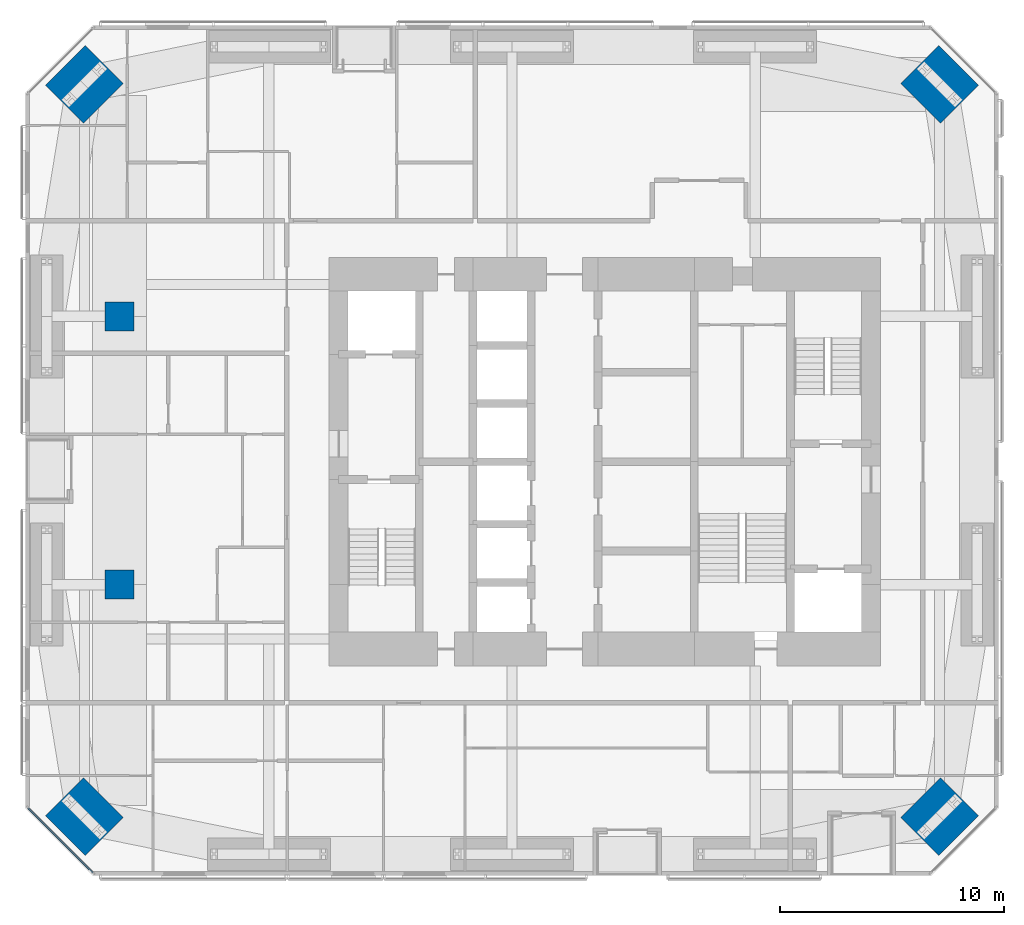
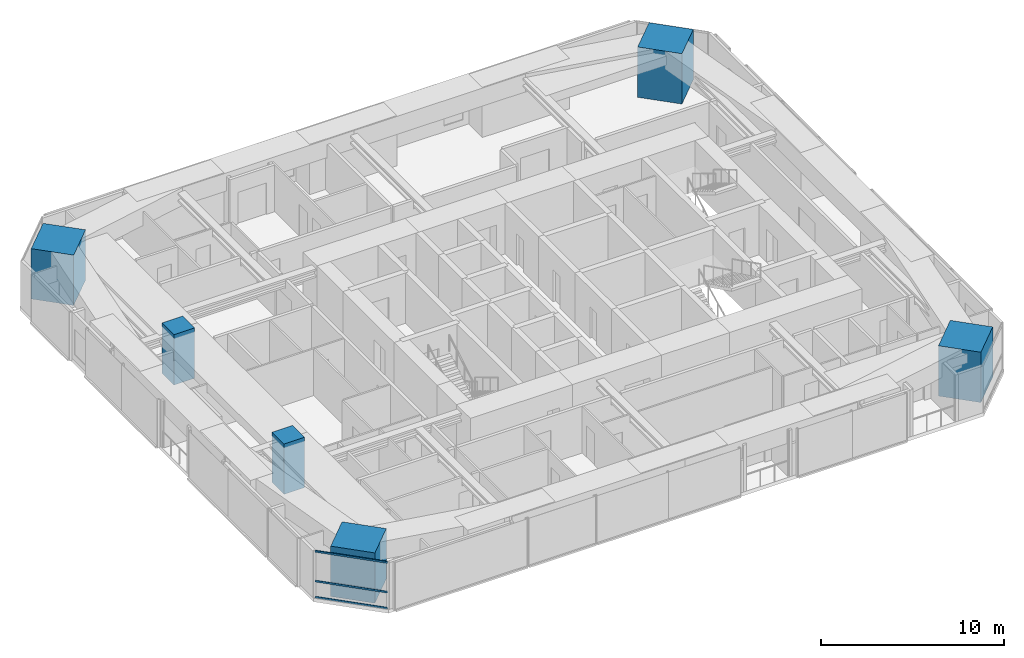
# One storey, part 1 of 24: 6 columns, 3 members, 1 element without a shape of its own.
"""IFC4 building model written with IfcOpenShell, lengths in metres."""

import ifcopenshell
import ifcopenshell.guid

model = None  # the IFC model being written
_history = None  # IfcOwnerHistory: only IFC2X3 demands one
_inside = {}  # id of a spatial element -> (the spatial element, [elements in it])
_under = {}  # id of a project, library or spatial element -> (it, [spatial elements below it])
_declared = {}  # id of a project -> (the project, [libraries it declares])
_typed = {}  # id of a type object -> (the type object, [elements of that type])
_made_of = {}  # id of a material, layer set ... -> (it, [elements and type objects made of it])


def new_model(schema):
    """Start an empty IFC model of exactly this schema.

    Asked for "IFC4X3", IfcOpenShell would pick the latest addendum, in which some entities
    have other attributes; the version numbers below select the first issue.
    IFC2X3 requires an IfcOwnerHistory on every rooted entity: one is made here for all.
    """
    global model, _history
    if schema == "IFC4X3":
        model = ifcopenshell.file(schema_version=(4, 3, 0, 0))
    else:
        model = ifcopenshell.file(schema=schema)
    _inside.clear()
    _under.clear()
    _declared.clear()
    _typed.clear()
    _made_of.clear()
    _history = None
    if model.schema == "IFC2X3":
        org = make("IfcOrganization", Name="unknown")
        user = make(
            "IfcPersonAndOrganization",
            ThePerson=make("IfcPerson", FamilyName="unknown"),
            TheOrganization=org,
        )
        app = make(
            "IfcApplication",
            ApplicationDeveloper=org,
            Version="unknown",
            ApplicationFullName="unknown",
            ApplicationIdentifier="unknown",
        )
        _history = make(
            "IfcOwnerHistory",
            OwningUser=user,
            OwningApplication=app,
            ChangeAction="ADDED",
            CreationDate=0,
        )
    return model


def make(cls, **values):
    """One entity of the class cls with the attributes given. An attribute that is None is left unset."""
    return model.create_entity(
        cls, **{name: value for name, value in values.items() if value is not None}
    )


def rooted(cls, **values):
    """An entity with a GlobalId (a new one), such as an element, a storey or a relation."""
    return make(cls, GlobalId=ifcopenshell.guid.new(), OwnerHistory=_history, **values)


def si_unit(unit_type, name, prefix=None):
    """IfcSIUnit, for example si_unit("LENGTHUNIT", "METRE", prefix="MILLI")."""
    return make("IfcSIUnit", UnitType=unit_type, Prefix=prefix, Name=name)


def assignment(units):
    """IfcUnitAssignment: the units of a project."""
    return None if units is None else make("IfcUnitAssignment", Units=units)


def point(xyz):
    """IfcCartesianPoint."""
    return None if xyz is None else make("IfcCartesianPoint", Coordinates=xyz)


def direction(xyz):
    """IfcDirection."""
    return None if xyz is None else make("IfcDirection", DirectionRatios=xyz)


def frame(location, z_axis=None, x_axis=None):
    """IfcAxis2Placement3D, a coordinate frame: its origin and axes. An axis left out is left unset."""
    return make(
        "IfcAxis2Placement3D",
        Location=point(location),
        Axis=direction(z_axis),
        RefDirection=direction(x_axis),
    )


def frame_2d(location, x_axis=None):
    """IfcAxis2Placement2D, a coordinate frame in the plane: its origin and x axis."""
    return make(
        "IfcAxis2Placement2D", Location=point(location), RefDirection=direction(x_axis)
    )


def origin():
    """The frame at (0, 0, 0) with its axes left unset."""
    return frame((0.0, 0.0, 0.0))


def origin_2d():
    """The frame at (0, 0) in the plane with its x axis left unset."""
    return frame_2d((0.0, 0.0))


def place(relative_to, where):
    """IfcLocalPlacement: puts the frame where relative to a parent placement (None: the world)."""
    return make(
        "IfcLocalPlacement", PlacementRelTo=relative_to, RelativePlacement=where
    )


def context(
    kind, dimensions, precision=None, world=None, true_north=None, identifier=None
):
    """IfcGeometricRepresentationContext, for example the 3D "Model" context."""
    return make(
        "IfcGeometricRepresentationContext",
        ContextIdentifier=identifier,
        ContextType=kind,
        CoordinateSpaceDimension=dimensions,
        Precision=precision,
        WorldCoordinateSystem=world,
        TrueNorth=true_north,
    )


def subcontext(parent, identifier, kind, view, scale=None):
    """IfcGeometricRepresentationSubContext, for example "Body" below "Model"."""
    return make(
        "IfcGeometricRepresentationSubContext",
        ContextIdentifier=identifier,
        ContextType=kind,
        ParentContext=parent,
        TargetScale=scale,
        TargetView=view,
    )


def project(units=None, contexts=None):
    """IfcProject with its units and contexts."""
    return rooted(
        "IfcProject",
        Name="project",
        RepresentationContexts=contexts,
        UnitsInContext=assignment(units),
    )


def spatial(cls, under=None, at=None, **own):
    """A site, building, storey or space (cls), placed at a placement, below another one or the project."""
    s = rooted(cls, ObjectPlacement=at, **own)
    if under is not None:
        _under.setdefault(under.id(), (under, []))[1].append(s)
    return s


def profile(cls, at=None, kind="AREA", **sizes):
    """A parametric profile (cls). Its sizes go by their IFC names, for example OverallWidth=200.0."""
    return make(cls, ProfileType=kind, Position=at, **sizes)


def rectangle(**sizes):
    """IfcRectangleProfileDef."""
    return profile("IfcRectangleProfileDef", **sizes)


def extrude(swept, where, along, depth):
    """IfcExtrudedAreaSolid: the profile swept, set in the frame where, extruded along a direction by depth."""
    return make(
        "IfcExtrudedAreaSolid",
        SweptArea=swept,
        Position=where,
        ExtrudedDirection=direction(along),
        Depth=depth,
    )


def shape(context_of_items, identifier, shape_type, items):
    """IfcShapeRepresentation: the items that make up one representation, for example the "Body"."""
    return make(
        "IfcShapeRepresentation",
        ContextOfItems=context_of_items,
        RepresentationIdentifier=identifier,
        RepresentationType=shape_type,
        Items=items,
    )


def material(Name=None, Category=None):
    """IfcMaterial."""
    return make("IfcMaterial", Name=Name, Category=Category)


def material_profile(
    of_material, cross_section, Name=None, Category=None, Priority=None
):
    """IfcMaterialProfile: a cross section and its material."""
    return make(
        "IfcMaterialProfile",
        Name=Name,
        Material=of_material,
        Profile=cross_section,
        Priority=Priority,
        Category=Category,
    )


def profile_set(profiles, Name=None, composite=None):
    """IfcMaterialProfileSet."""
    return make(
        "IfcMaterialProfileSet",
        Name=Name,
        MaterialProfiles=profiles,
        CompositeProfile=composite,
    )


def made_of(thing, what):
    """Note that an element or type object is made of a material, layer set ...; save() writes the relation."""
    if what is not None:
        _made_of.setdefault(what.id(), (what, []))[1].append(thing)
    return thing


def type_object(cls, material=None, **own):
    """A type object (cls), such as IfcWallType, which elements share."""
    return made_of(rooted(cls, **own), material)


def element(
    cls,
    number,
    at=None,
    inside=None,
    cuts=None,
    type_object=None,
    material=None,
    context=None,
    identifier="Body",
    shape_type=None,
    held_by="IfcProductDefinitionShape",
    body=None,
    shapes=None,
    **own,
):
    """One element of the class cls, such as IfcWall. Its Tag is "e" and its number.

    at: its placement. inside: the storey or other place that contains it. cuts: it is an
    opening in that element (IfcRelVoidsElement). A single representation is given by context,
    identifier, shape_type and body (its items); several are given by shapes. held_by: the class
    of the entity that holds the representations. save() writes the other relations.
    """
    e = rooted(cls, Tag="e%d" % number, ObjectPlacement=at, **own)
    if body is not None:
        shapes = [shape(context, identifier, shape_type, body)]
    if shapes is not None:
        e.Representation = make(held_by, Representations=shapes)
    if inside is not None:
        _inside.setdefault(inside.id(), (inside, []))[1].append(e)
    if cuts is not None:
        rooted(
            "IfcRelVoidsElement", RelatingBuildingElement=cuts, RelatedOpeningElement=e
        )
    if type_object is not None:
        _typed.setdefault(type_object.id(), (type_object, []))[1].append(e)
    return made_of(e, material)


def aggregate(whole, parts):
    """IfcRelAggregates: a whole, such as a stair, and the parts it consists of."""
    return rooted("IfcRelAggregates", RelatingObject=whole, RelatedObjects=parts)


def save(model, path):
    """Write the relations noted so far, then the file.

    IfcRelAggregates (storeys below a building ...), IfcRelContainedInSpatialStructure (elements
    in a storey), IfcRelDefinesByType, IfcRelAssociatesMaterial and IfcRelDeclares: one each for
    every whole, place, type object, material and project.
    """
    for whole, parts in _under.values():
        aggregate(whole, parts)
    for where, things in _inside.values():
        rooted(
            "IfcRelContainedInSpatialStructure",
            RelatedElements=things,
            RelatingStructure=where,
        )
    for kind, things in _typed.values():
        rooted("IfcRelDefinesByType", RelatedObjects=things, RelatingType=kind)
    for what, things in _made_of.values():
        rooted("IfcRelAssociatesMaterial", RelatedObjects=things, RelatingMaterial=what)
    for by, libraries in _declared.values():
        rooted("IfcRelDeclares", RelatingContext=by, RelatedDefinitions=libraries)
    model.write(path)


model = new_model("IFC4")

# Units and contexts
model_context = context("Model", 3, precision=1e-05, world=origin(), true_north=direction((0.0, 1.0)))
body_context = subcontext(model_context, "Body", "Model", "MODEL_VIEW")
ifc_project = project(units=[si_unit("LENGTHUNIT", "METRE"), si_unit("AREAUNIT", "SQUARE_METRE"), si_unit("VOLUMEUNIT", "CUBIC_METRE"), si_unit("PLANEANGLEUNIT", "RADIAN"), si_unit("MASSUNIT", "GRAM", prefix="KILO")], contexts=[model_context])

# Site, building, storey
site_placement = place(None, origin())
site = spatial("IfcSite", under=ifc_project, at=site_placement, CompositionType="ELEMENT")
building_placement = place(site_placement, origin())
building = spatial("IfcBuilding", under=site, at=building_placement, Name="Jalousie Tower", CompositionType="ELEMENT")
storey_placement = place(building_placement, frame((0.0, 0.0, 135.0)))
storey = spatial("IfcBuildingStorey", under=building, at=storey_placement, Name="L37", CompositionType="ELEMENT", Elevation=135.0)

# Columns
ifc_material_1 = material(Name="Concrete f'c 120 MPa", Category="concrete")
ifc_material_profile_1 = material_profile(ifc_material_1, rectangle(XDim=1.300048828125, YDim=1.300048828125, at=origin_2d()), Name="RC 1300x1300")
ifc_profile_set_1 = profile_set([ifc_material_profile_1], Name="Concrete f'c 120 MPa")
column_type_1 = type_object("IfcColumnType", Name="RC COLUMN 1300x1300", PredefinedType="COLUMN", material=ifc_profile_set_1)
for number, where, z_axis, x_axis, name in (
    (1, (10.199951171875, 13.0, 0.0), (0.0, 0.0, 1.0), (1.0, 0.0, 0.0), "Interior column IB1 L37"),
    (2, (10.199951171875, 25.0, 0.0), (0.0, 0.0, 1.0), (1.0, 0.0, 0.0), "Interior column IB2 L37"),
):
    element("IfcColumn", number, at=place(storey_placement, frame(where, z_axis=z_axis, x_axis=x_axis)), inside=storey, type_object=column_type_1, Name=name, PredefinedType="COLUMN", context=body_context, shape_type="SweptSolid", body=[
        extrude(rectangle(XDim=1.300048828125, YDim=1.300048828125, at=origin_2d()), origin(), (0.0, 0.0, 1.0), 3.35009765625),
    ])
ifc_material_2 = material(Name="Concrete f'c 120 MPa", Category="concrete")
ifc_material_profile_2 = material_profile(ifc_material_2, rectangle(XDim=2.39990234375, YDim=2.5, at=origin_2d()), Name="RC 2400x2500")
ifc_profile_set_2 = profile_set([ifc_material_profile_2], Name="Concrete f'c 120 MPa")
column_type_2 = type_object("IfcColumnType", Name="RC CORNER COLUMN 2400x2500", PredefinedType="COLUMN", material=ifc_profile_set_2)
for number, where, z_axis, x_axis, name in (
    (3, (8.63134765625, 2.63134765625, 0.0), (0.0, 0.0, 1.0), (0.707106781187, 0.707106781187, 0.0), "Corner column 01 L37"),
    (4, (46.86865234375, 2.63134765625, 0.0), (0.0, 0.0, 1.0), (-0.707106781187, 0.707106781187, 0.0), "Corner column 05 L37"),
    (5, (46.86865234375, 35.36865234375, 0.0), (0.0, 0.0, 1.0), (-0.707106781187, -0.707106781187, 0.0), "Corner column 08 L37"),
    (6, (8.63134765625, 35.36865234375, 0.0), (0.0, 0.0, 1.0), (0.707106781187, -0.707106781187, 0.0), "Corner column 12 L37"),
):
    element("IfcColumn", number, at=place(storey_placement, frame(where, z_axis=z_axis, x_axis=x_axis)), inside=storey, type_object=column_type_2, Name=name, PredefinedType="COLUMN", context=body_context, shape_type="SweptSolid", body=[
        extrude(rectangle(XDim=2.39990234375, YDim=2.5, at=origin_2d()), origin(), (0.0, 0.0, 1.0), 3.35009765625),
    ])

# Curtain wall, members
ifc_material_3 = material(Name="Aluminium curtain wall", Category="aluminium")
curtain_wall_type = type_object("IfcCurtainWallType", Name="CORNER WINDOW WALL", PredefinedType="USERDEFINED", material=ifc_material_3)
curtain_wall_placement = place(storey_placement, origin())
curtain_wall = element("IfcCurtainWall", 7, at=curtain_wall_placement, inside=storey, type_object=curtain_wall_type, Name="Corner Window Wall L37 8", ObjectType="CORNER WINDOW WALL", PredefinedType="USERDEFINED")
ifc_material_4 = material(Name="Aluminium transom", Category="aluminium")
ifc_material_profile_3 = material_profile(ifc_material_4, rectangle(XDim=0.06005859375, YDim=0.1201171875, at=origin_2d()), Name="TRANSOM 60x120")
ifc_profile_set_3 = profile_set([ifc_material_profile_3], Name="Aluminium transom")
member_type = type_object("IfcMemberType", Name="CORNER WINDOW WALL TRANSOM", PredefinedType="USERDEFINED", material=ifc_profile_set_3)
member_1_placement = place(storey_placement, frame((6.1298828125, 3.0087890625, 0.030029296875), z_axis=(0.707106781187, -0.707106781187, 0.0), x_axis=(0.707106781187, 0.707106781187, 0.0)))
member_1 = element("IfcMember", 8, at=member_1_placement, type_object=member_type, Name="CW-C transom 1.1", ObjectType="TRANSOM", PredefinedType="USERDEFINED", context=body_context, shape_type="SweptSolid", body=[
    extrude(rectangle(XDim=0.06005859375, YDim=0.1201171875, at=origin_2d()), origin(), (0.0, 0.0, 1.0), 4.0712890625),
])
member_2_placement = place(storey_placement, frame((6.1298828125, 3.0087890625, 1.10009765625), z_axis=(0.707106781187, -0.707106781187, 0.0), x_axis=(0.707106781187, 0.707106781187, 0.0)))
member_2 = element("IfcMember", 9, at=member_2_placement, type_object=member_type, Name="CW-C transom 1.2", ObjectType="TRANSOM", PredefinedType="USERDEFINED", context=body_context, shape_type="SweptSolid", body=[
    extrude(rectangle(XDim=0.06005859375, YDim=0.1201171875, at=origin_2d()), origin(), (0.0, 0.0, 1.0), 4.0712890625),
])
member_3_placement = place(storey_placement, frame((6.1298828125, 3.0087890625, 3.080078125), z_axis=(0.707106781187, -0.707106781187, 0.0), x_axis=(0.707106781187, 0.707106781187, 0.0)))
member_3 = element("IfcMember", 10, at=member_3_placement, type_object=member_type, Name="CW-C transom 1.3", ObjectType="TRANSOM", PredefinedType="USERDEFINED", context=body_context, shape_type="SweptSolid", body=[
    extrude(rectangle(XDim=0.06005859375, YDim=0.1201171875, at=origin_2d()), origin(), (0.0, 0.0, 1.0), 4.0712890625),
])
aggregate(curtain_wall, [member_1, member_2, member_3])

save(model, "model.ifc")
